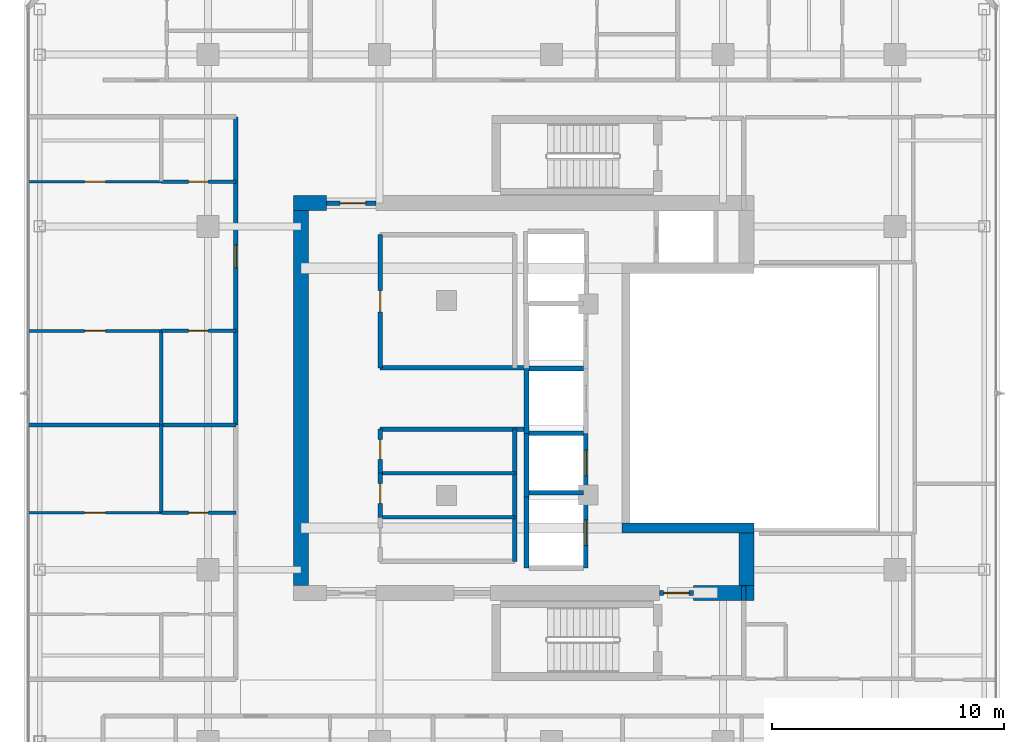
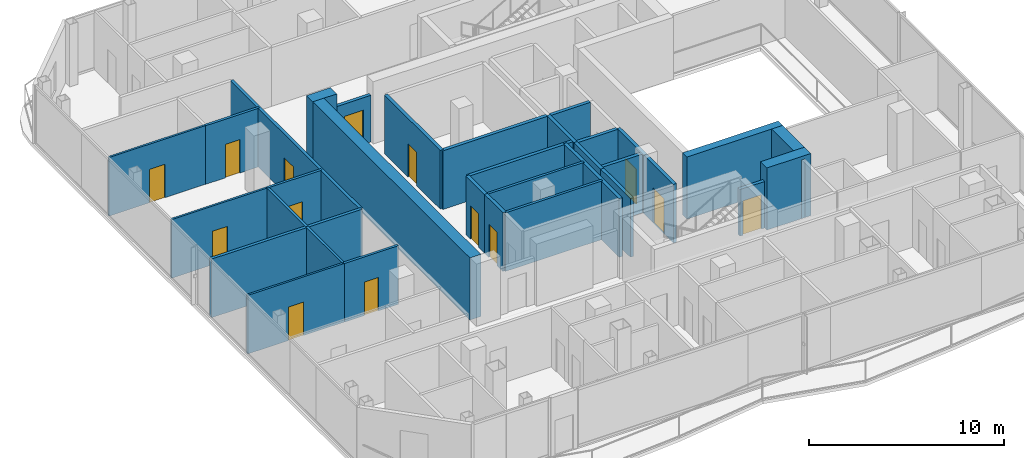
# One storey, part 18 of 26: 34 walls, 14 doors, 14 openings.
"""IFC4 building model written with IfcOpenShell, lengths in metres."""

from ifc_helpers import new_model, si_unit, direction, frame, frame_2d, origin, place, context, subcontext, project, spatial, rectangle, extrude, material, layer, layer_set, type_object, element, fill, save


model = new_model("IFC4")

# Units and contexts
model_context = context("Model", 3, precision=1e-05, world=origin(), true_north=direction((0.0, 1.0)))
body_context = subcontext(model_context, "Body", "Model", "MODEL_VIEW")
ifc_project = project(units=[si_unit("LENGTHUNIT", "METRE"), si_unit("AREAUNIT", "SQUARE_METRE"), si_unit("VOLUMEUNIT", "CUBIC_METRE"), si_unit("PLANEANGLEUNIT", "RADIAN"), si_unit("MASSUNIT", "GRAM", prefix="KILO")], contexts=[model_context])

# Site, building, storey
site_placement = place(None, origin())
site = spatial("IfcSite", under=ifc_project, at=site_placement, CompositionType="ELEMENT")
building_placement = place(site_placement, origin())
building = spatial("IfcBuilding", under=site, at=building_placement, Name="Khorvyn Point Tower", CompositionType="ELEMENT")
storey_placement = place(building_placement, frame((0.0, 0.0, 289.800048828125)))
storey = spatial("IfcBuildingStorey", under=building, at=storey_placement, Name="L71", CompositionType="ELEMENT", Elevation=289.800048828125)

# Wall, opening, door
ifc_material_1 = material(Name="Double acoustic gypsum on twin steel stud", Category="steel")
ifc_layer_1 = layer(ifc_material_1, 0.179931640625)
ifc_layer_set_1 = layer_set([ifc_layer_1], Name="Acoustic Double-Stud Apartment Demising Wall 180")
wall_type_1 = type_object("IfcWallType", Name="Acoustic Double-Stud Apartment Demising Wall 180", PredefinedType="PARTITIONING", material=ifc_layer_set_1)
wall_1_placement = place(storey_placement, frame((-13.60009765625, -1.1640625, 0.0), z_axis=(0.0, 0.0, 1.0), x_axis=(0.0, 1.0, 0.0)))
wall_1 = element("IfcWall", 1, at=wall_1_placement, inside=storey, type_object=wall_type_1, Name="Wall", PredefinedType="PARTITIONING", context=body_context, shape_type="SweptSolid", body=[
    extrude(rectangle(XDim=13.2841796875, YDim=0.179931640625, at=frame_2d((6.64208984375, 0.0))), origin(), (0.0, 0.0, 1.0), 3.679931640625),
])
opening_1_placement = place(wall_1_placement, frame((6.76708984375, 0.0, 0.0)))
opening_1 = element("IfcOpeningElement", 2, at=opening_1_placement, cuts=wall_1, Name="Opening ID-AP60", PredefinedType="OPENING", context=body_context, shape_type="SweptSolid", body=[
    extrude(rectangle(XDim=1.0, YDim=2.199951171875, at=frame_2d((0.5, 1.10009765625))), frame((0.0, 0.099853515625, 0.0), z_axis=(0.0, -1.0, 0.0), x_axis=(1.0, 0.0, 0.0)), (0.0, 0.0, 1.0), 0.199951171875),
])
ifc_material_2 = material(Name="Engineered hardwood fire-rated leaf", Category="wood")
door_type_1 = type_object("IfcDoorType", Name="Acoustic Solid-Core Timber Apartment Entrance Door 1000x2200", OperationType="NOTDEFINED", PredefinedType="DOOR", material=ifc_material_2)
door_1_placement = place(opening_1_placement, origin())
door_1 = element("IfcDoor", 3, at=door_1_placement, inside=storey, type_object=door_type_1, Name="Door", OperationType="SINGLE_SWING_RIGHT", OverallHeight=2.199951171875, OverallWidth=1.0, PredefinedType="DOOR", context=body_context, shape_type="SweptSolid", body=[
    extrude(rectangle(XDim=1.0, YDim=2.199951171875, at=frame_2d((0.5, 1.10009765625))), frame((0.0, 0.02490234375, 0.0), z_axis=(0.0, -1.0, 0.0), x_axis=(1.0, 0.0, 0.0)), (0.0, 0.0, 1.0), 0.050048828125),
])
fill(opening_1, door_1)

# Walls
wall_2_placement = place(storey_placement, frame((-22.530029296875, -1.1640625, 0.0), z_axis=(0.0, 0.0, 1.0), x_axis=(1.0, 0.0, 0.0)))
element("IfcWall", 4, at=wall_2_placement, inside=storey, type_object=wall_type_1, Name="Wall", PredefinedType="PARTITIONING", context=body_context, shape_type="SweptSolid", body=[
    extrude(rectangle(XDim=8.929931640625, YDim=0.179931640625, at=frame_2d((4.46484375, 0.0))), origin(), (0.0, 0.0, 1.0), 3.679931640625),
])
ifc_material_3 = material(Name="Concrete C40/50", Category="concrete")
ifc_layer_2 = layer(ifc_material_3, 0.449951171875)
ifc_layer_set_2 = layer_set([ifc_layer_2], Name="Concrete C40/50 Core Shear Wall 450")
wall_type_2 = type_object("IfcWallType", Name="Concrete C40/50 Core Shear Wall 450", PredefinedType="SHEAR", material=ifc_layer_set_2)
wall_3_placement = place(storey_placement, frame((3.044921875, -5.60009765625, 0.0), z_axis=(0.0, 0.0, 1.0), x_axis=(1.0, 0.0, 0.0)))
element("IfcWall", 5, at=wall_3_placement, inside=storey, type_object=wall_type_2, Name="Wall", PredefinedType="SHEAR", context=body_context, shape_type="SweptSolid", body=[
    extrude(rectangle(XDim=5.68017578125, YDim=0.449951171875, at=frame_2d((2.840087890625, 0.0))), origin(), (0.0, 0.0, 1.0), 3.89990234375),
])
ifc_layer_3 = layer(ifc_material_3, 0.64990234375)
ifc_layer_set_3 = layer_set([ifc_layer_3], Name="Concrete C40/50 Core Shear Wall 650")
wall_type_3 = type_object("IfcWallType", Name="Concrete C40/50 Core Shear Wall 650", PredefinedType="SHEAR", material=ifc_layer_set_3)
wall_4_placement = place(storey_placement, frame((6.1201171875, -8.39990234375, 0.0), z_axis=(0.0, 0.0, 1.0), x_axis=(1.0, 0.0, 0.0)))
element("IfcWall", 6, at=wall_4_placement, inside=storey, type_object=wall_type_3, Name="Wall", PredefinedType="SHEAR", context=body_context, shape_type="SweptSolid", body=[
    extrude(rectangle(XDim=2.60498046875, YDim=0.64990234375, at=frame_2d((1.302490234375, 0.0))), origin(), (0.0, 0.0, 1.0), 3.89990234375),
])
wall_5_placement = place(storey_placement, frame((-11.125, 8.39990234375, 0.0), z_axis=(0.0, 0.0, 1.0), x_axis=(1.0, 0.0, 0.0)))
element("IfcWall", 7, at=wall_5_placement, inside=storey, type_object=wall_type_3, Name="Wall", PredefinedType="SHEAR", context=body_context, shape_type="SweptSolid", body=[
    extrude(rectangle(XDim=1.425048828125, YDim=0.64990234375, at=frame_2d((0.71240234375, 0.0))), origin(), (0.0, 0.0, 1.0), 3.89990234375),
])
wall_6_placement = place(storey_placement, frame((-10.800048828125, -8.074951171875, 0.0), z_axis=(0.0, 0.0, 1.0), x_axis=(0.0, 1.0, 0.0)))
element("IfcWall", 8, at=wall_6_placement, inside=storey, type_object=wall_type_3, Name="Wall", PredefinedType="SHEAR", context=body_context, shape_type="SweptSolid", body=[
    extrude(rectangle(XDim=16.14990234375, YDim=0.64990234375, at=frame_2d((8.074951171875, 0.0))), origin(), (0.0, 0.0, 1.0), 3.89990234375),
])
wall_7_placement = place(storey_placement, frame((8.39990234375, -8.074951171875, 0.0), z_axis=(0.0, 0.0, 1.0), x_axis=(0.0, 1.0, 0.0)))
element("IfcWall", 9, at=wall_7_placement, inside=storey, type_object=wall_type_3, Name="Wall", PredefinedType="SHEAR", context=body_context, shape_type="SweptSolid", body=[
    extrude(rectangle(XDim=2.25, YDim=0.64990234375, at=frame_2d((1.125, 0.0))), origin(), (0.0, 0.0, 1.0), 3.89990234375),
])

# Wall, opening, door
ifc_layer_4 = layer(ifc_material_3, 0.199951171875)
ifc_layer_set_4 = layer_set([ifc_layer_4], Name="Concrete C40/50 Fire-Lobby Compartment Wall 200")
wall_type_4 = type_object("IfcWallType", Name="Concrete C40/50 Fire-Lobby Compartment Wall 200", PredefinedType="SOLIDWALL", material=ifc_layer_set_4)
wall_8_placement = place(storey_placement, frame((4.64990234375, -8.39990234375, 0.0), z_axis=(0.0, 0.0, 1.0), x_axis=(1.0, 0.0, 0.0)))
wall_8 = element("IfcWall", 10, at=wall_8_placement, inside=storey, type_object=wall_type_4, Name="Wall", PredefinedType="SOLIDWALL", context=body_context, shape_type="SweptSolid", body=[
    extrude(rectangle(XDim=1.47021484375, YDim=0.199951171875, at=frame_2d((0.735107421875, 0.0))), origin(), (0.0, 0.0, 1.0), 2.919921875),
])
opening_2_placement = place(wall_8_placement, frame((0.18505859375, 0.0, 0.0)))
opening_2 = element("IfcOpeningElement", 11, at=opening_2_placement, cuts=wall_8, Name="Opening ID-FL90", PredefinedType="OPENING", context=body_context, shape_type="SweptSolid", body=[
    extrude(rectangle(XDim=1.10009765625, YDim=2.14990234375, at=frame_2d((0.550048828125, 1.074951171875))), frame((0.0, 0.10986328125, 0.0), z_axis=(0.0, -1.0, 0.0), x_axis=(1.0, 0.0, 0.0)), (0.0, 0.0, 1.0), 0.219970703125),
])
ifc_material_4 = material(Name="Galvanised powder-coated steel", Category="steel")
door_type_2 = type_object("IfcDoorType", Name="Fire-Rated Steel Lobby and Stair Door 1100x2150", OperationType="NOTDEFINED", PredefinedType="DOOR", material=ifc_material_4)
door_2_placement = place(opening_2_placement, origin())
door_2 = element("IfcDoor", 12, at=door_2_placement, inside=storey, type_object=door_type_2, Name="Door", OperationType="SINGLE_SWING_LEFT", OverallHeight=2.14990234375, OverallWidth=1.10009765625, PredefinedType="DOOR", context=body_context, shape_type="SweptSolid", body=[
    extrude(rectangle(XDim=1.10009765625, YDim=2.14990234375, at=frame_2d((0.550048828125, 1.074951171875))), frame((0.0, 0.02490234375, 0.0), z_axis=(0.0, -1.0, 0.0), x_axis=(1.0, 0.0, 0.0)), (0.0, 0.0, 1.0), 0.050048828125),
])
fill(opening_2, door_2)

wall_9_placement = place(storey_placement, frame((-9.699951171875, 8.39990234375, 0.0), z_axis=(0.0, 0.0, 1.0), x_axis=(1.0, 0.0, 0.0)))
wall_9 = element("IfcWall", 13, at=wall_9_placement, inside=storey, type_object=wall_type_4, Name="Wall", PredefinedType="SOLIDWALL", context=body_context, shape_type="SweptSolid", body=[
    extrude(rectangle(XDim=2.14990234375, YDim=0.199951171875, at=frame_2d((1.074951171875, 0.0))), origin(), (0.0, 0.0, 1.0), 2.919921875),
])
opening_3_placement = place(wall_9_placement, frame((0.597900390625, 0.0, 0.0)))
opening_3 = element("IfcOpeningElement", 14, at=opening_3_placement, cuts=wall_9, Name="Opening ID-FL90", PredefinedType="OPENING", context=body_context, shape_type="SweptSolid", body=[
    extrude(rectangle(XDim=1.10009765625, YDim=2.14990234375, at=frame_2d((0.550048828125, 1.074951171875))), frame((0.0, 0.10986328125, 0.0), z_axis=(0.0, -1.0, 0.0), x_axis=(1.0, 0.0, 0.0)), (0.0, 0.0, 1.0), 0.219970703125),
])
door_3_placement = place(opening_3_placement, origin())
door_3 = element("IfcDoor", 15, at=door_3_placement, inside=storey, type_object=door_type_2, Name="Door", OperationType="SINGLE_SWING_RIGHT", OverallHeight=2.14990234375, OverallWidth=1.10009765625, PredefinedType="DOOR", context=body_context, shape_type="SweptSolid", body=[
    extrude(rectangle(XDim=1.10009765625, YDim=2.14990234375, at=frame_2d((0.550048828125, 1.074951171875))), frame((0.0, 0.02490234375, 0.0), z_axis=(0.0, -1.0, 0.0), x_axis=(1.0, 0.0, 0.0)), (0.0, 0.0, 1.0), 0.050048828125),
])
fill(opening_3, door_3)

wall_10_placement = place(storey_placement, frame((-7.3798828125, -5.139892578125, 0.0), z_axis=(0.0, 0.0, 1.0), x_axis=(0.0, 1.0, 0.0)))
wall_10 = element("IfcWall", 16, at=wall_10_placement, inside=storey, type_object=wall_type_4, Name="Wall", PredefinedType="SOLIDWALL", context=body_context, shape_type="SweptSolid", body=[
    extrude(rectangle(XDim=1.89990234375, YDim=0.199951171875, at=frame_2d((0.949951171875, 0.0))), origin(), (0.0, 0.0, 1.0), 3.679931640625),
])
opening_4_placement = place(wall_10_placement, frame((0.597900390625, 0.0, 0.0)))
opening_4 = element("IfcOpeningElement", 17, at=opening_4_placement, cuts=wall_10, Name="Opening ID-WC85", PredefinedType="OPENING", context=body_context, shape_type="SweptSolid", body=[
    extrude(rectangle(XDim=0.85009765625, YDim=2.10009765625, at=frame_2d((0.425048828125, 1.050048828125))), frame((0.0, 0.10986328125, 0.0), z_axis=(0.0, -1.0, 0.0), x_axis=(1.0, 0.0, 0.0)), (0.0, 0.0, 1.0), 0.219970703125),
])
ifc_material_5 = material(Name="High-pressure laminate on moisture-resistant core", Category="wood")
door_type_3 = type_object("IfcDoorType", Name="Moisture-Resistant Accessible Washroom Door 850x2100", OperationType="NOTDEFINED", PredefinedType="DOOR", material=ifc_material_5)
door_4_placement = place(opening_4_placement, origin())
door_4 = element("IfcDoor", 18, at=door_4_placement, inside=storey, type_object=door_type_3, Name="Door", OperationType="SINGLE_SWING_RIGHT", OverallHeight=2.10009765625, OverallWidth=0.85009765625, PredefinedType="DOOR", context=body_context, shape_type="SweptSolid", body=[
    extrude(rectangle(XDim=0.85009765625, YDim=2.10009765625, at=frame_2d((0.425048828125, 1.050048828125))), frame((0.0, 0.02490234375, 0.0), z_axis=(0.0, -1.0, 0.0), x_axis=(1.0, 0.0, 0.0)), (0.0, 0.0, 1.0), 0.050048828125),
])
fill(opening_4, door_4)

wall_11_placement = place(storey_placement, frame((-7.3798828125, -3.239990234375, 0.0), z_axis=(0.0, 0.0, 1.0), x_axis=(0.0, 1.0, 0.0)))
wall_11 = element("IfcWall", 19, at=wall_11_placement, inside=storey, type_object=wall_type_4, Name="Wall", PredefinedType="SOLIDWALL", context=body_context, shape_type="SweptSolid", body=[
    extrude(rectangle(XDim=1.89990234375, YDim=0.199951171875, at=frame_2d((0.949951171875, 0.0))), origin(), (0.0, 0.0, 1.0), 3.679931640625),
])
opening_5_placement = place(wall_11_placement, frame((0.597900390625, 0.0, 0.0)))
opening_5 = element("IfcOpeningElement", 20, at=opening_5_placement, cuts=wall_11, Name="Opening ID-WC85", PredefinedType="OPENING", context=body_context, shape_type="SweptSolid", body=[
    extrude(rectangle(XDim=0.85009765625, YDim=2.10009765625, at=frame_2d((0.425048828125, 1.050048828125))), frame((0.0, 0.10986328125, 0.0), z_axis=(0.0, -1.0, 0.0), x_axis=(1.0, 0.0, 0.0)), (0.0, 0.0, 1.0), 0.219970703125),
])
door_5_placement = place(opening_5_placement, origin())
door_5 = element("IfcDoor", 21, at=door_5_placement, inside=storey, type_object=door_type_3, Name="Door", OperationType="SINGLE_SWING_LEFT", OverallHeight=2.10009765625, OverallWidth=0.85009765625, PredefinedType="DOOR", context=body_context, shape_type="SweptSolid", body=[
    extrude(rectangle(XDim=0.85009765625, YDim=2.10009765625, at=frame_2d((0.425048828125, 1.050048828125))), frame((0.0, 0.02490234375, 0.0), z_axis=(0.0, -1.0, 0.0), x_axis=(1.0, 0.0, 0.0)), (0.0, 0.0, 1.0), 0.050048828125),
])
fill(opening_5, door_5)

wall_12_placement = place(storey_placement, frame((-7.3798828125, 1.300048828125, 0.0), z_axis=(0.0, 0.0, 1.0), x_axis=(0.0, 1.0, 0.0)))
wall_12 = element("IfcWall", 22, at=wall_12_placement, inside=storey, type_object=wall_type_4, Name="Wall", PredefinedType="SOLIDWALL", context=body_context, shape_type="SweptSolid", body=[
    extrude(rectangle(XDim=5.739990234375, YDim=0.199951171875, at=frame_2d((2.8701171875, 0.0))), origin(), (0.0, 0.0, 1.0), 3.679931640625),
])
opening_6_placement = place(wall_12_placement, frame((2.409912109375, 0.0, 0.0)))
opening_6 = element("IfcOpeningElement", 23, at=opening_6_placement, cuts=wall_12, Name="Opening ID-RS60", PredefinedType="OPENING", context=body_context, shape_type="SweptSolid", body=[
    extrude(rectangle(XDim=0.919921875, YDim=2.10009765625, at=frame_2d((0.4599609375, 1.050048828125))), frame((0.0, 0.10986328125, 0.0), z_axis=(0.0, -1.0, 0.0), x_axis=(1.0, 0.0, 0.0)), (0.0, 0.0, 1.0), 0.219970703125),
])
door_type_4 = type_object("IfcDoorType", Name="Fire-Rated Riser and Store Steel Door 920x2100", OperationType="NOTDEFINED", PredefinedType="DOOR", material=ifc_material_4)
door_6_placement = place(opening_6_placement, origin())
door_6 = element("IfcDoor", 24, at=door_6_placement, inside=storey, type_object=door_type_4, Name="Door", OperationType="SINGLE_SWING_RIGHT", OverallHeight=2.10009765625, OverallWidth=0.919921875, PredefinedType="DOOR", context=body_context, shape_type="SweptSolid", body=[
    extrude(rectangle(XDim=0.919921875, YDim=2.10009765625, at=frame_2d((0.4599609375, 1.050048828125))), frame((0.0, 0.02490234375, 0.0), z_axis=(0.0, -1.0, 0.0), x_axis=(1.0, 0.0, 0.0)), (0.0, 0.0, 1.0), 0.050048828125),
])
fill(opening_6, door_6)

# Walls
for number, where, z_axis, x_axis, name in (
    (25, (-7.3798828125, -1.340087890625, 0.0), (0.0, 0.0, 1.0), (1.0, 0.0, 0.0), "Wall"),
    (26, (-7.3798828125, 1.300048828125, 0.0), (0.0, 0.0, 1.0), (1.0, 0.0, 0.0), "Wall"),
):
    element("IfcWall", number, at=place(storey_placement, frame(where, z_axis=z_axis, x_axis=x_axis)), inside=storey, type_object=wall_type_4, Name=name, PredefinedType="SOLIDWALL", context=body_context, shape_type="SweptSolid", body=[
        extrude(rectangle(XDim=6.239990234375, YDim=0.199951171875, at=frame_2d((3.1201171875, 0.0))), origin(), (0.0, 0.0, 1.0), 3.679931640625),
    ])
wall_13_placement = place(storey_placement, frame((-1.580078125, -7.0400390625, 0.0), z_axis=(0.0, 0.0, 1.0), x_axis=(0.0, 1.0, 0.0)))
element("IfcWall", 27, at=wall_13_placement, inside=storey, type_object=wall_type_4, Name="Wall", PredefinedType="SOLIDWALL", context=body_context, shape_type="SweptSolid", body=[
    extrude(rectangle(XDim=5.699951171875, YDim=0.199951171875, at=frame_2d((2.85009765625, 0.0))), origin(), (0.0, 0.0, 1.0), 3.679931640625),
])
wall_14_placement = place(storey_placement, frame((8.280029296875, -8.72509765625, 0.0), z_axis=(0.0, 0.0, 1.0), x_axis=(0.0, 1.0, 0.0)))
element("IfcWall", 28, at=wall_14_placement, inside=storey, type_object=wall_type_4, Name="Wall", PredefinedType="SOLIDWALL", context=body_context, shape_type="SweptSolid", body=[
    extrude(rectangle(XDim=0.625, YDim=0.199951171875, at=frame_2d((0.3125, 0.0))), origin(), (0.0, 0.0, 1.0), 3.679931640625),
])
ifc_layer_5 = layer(ifc_material_3, 0.199951171875)
ifc_layer_set_5 = layer_set([ifc_layer_5], Name="Concrete C40/50 Structural Hoistway and Stair Shaft Wall 200")
wall_type_5 = type_object("IfcWallType", Name="Concrete C40/50 Structural Hoistway and Stair Shaft Wall 200", PredefinedType="SHEAR", material=ifc_layer_set_5)
wall_15_placement = place(storey_placement, frame((-1.074951171875, -4.27490234375, 0.0), z_axis=(0.0, 0.0, 1.0), x_axis=(0.0, 1.0, 0.0)))
element("IfcWall", 29, at=wall_15_placement, inside=storey, type_object=wall_type_5, Name="Wall", PredefinedType="SHEAR", context=body_context, shape_type="SweptSolid", body=[
    extrude(rectangle(XDim=2.75, YDim=0.199951171875, at=frame_2d((1.375, 0.0))), origin(), (0.0, 0.0, 1.0), 3.679931640625),
])

# Wall, opening, door
wall_16_placement = place(storey_placement, frame((1.47509765625, -4.27490234375, 0.0), z_axis=(0.0, 0.0, 1.0), x_axis=(0.0, 1.0, 0.0)))
wall_16 = element("IfcWall", 30, at=wall_16_placement, inside=storey, type_object=wall_type_5, Name="Wall", PredefinedType="SHEAR", context=body_context, shape_type="SweptSolid", body=[
    extrude(rectangle(XDim=2.75, YDim=0.199951171875, at=frame_2d((1.375, 0.0))), origin(), (0.0, 0.0, 1.0), 3.679931640625),
])
opening_7_placement = place(wall_16_placement, frame((0.925048828125, 0.0, 0.0)))
opening_7 = element("IfcOpeningElement", 31, at=opening_7_placement, cuts=wall_16, Name="Opening LD-1122", PredefinedType="OPENING", context=body_context, shape_type="SweptSolid", body=[
    extrude(rectangle(XDim=1.10009765625, YDim=2.199951171875, at=frame_2d((0.550048828125, 1.10009765625))), frame((0.0, 0.10986328125, 0.0), z_axis=(0.0, -1.0, 0.0), x_axis=(1.0, 0.0, 0.0)), (0.0, 0.0, 1.0), 0.219970703125),
])
ifc_material_6 = material(Name="Stainless steel 1.4301", Category="steel")
door_type_5 = type_object("IfcDoorType", Name="Stainless Steel Automatic Sliding Lift Landing Door 1100x2200", OperationType="SLIDING_TO_LEFT", PredefinedType="DOOR", material=ifc_material_6)
door_7_placement = place(opening_7_placement, origin())
door_7 = element("IfcDoor", 32, at=door_7_placement, inside=storey, type_object=door_type_5, Name="L71 RH-01 Sliding Lift Landing Door", OperationType="SLIDING_TO_LEFT", OverallHeight=2.199951171875, OverallWidth=1.10009765625, PredefinedType="DOOR", context=body_context, shape_type="SweptSolid", body=[
    extrude(rectangle(XDim=1.10009765625, YDim=2.199951171875, at=frame_2d((0.550048828125, 1.10009765625))), frame((0.0, 0.02490234375, 0.0), z_axis=(0.0, -1.0, 0.0), x_axis=(1.0, 0.0, 0.0)), (0.0, 0.0, 1.0), 0.050048828125),
])
fill(opening_7, door_7)

# Walls
for number, where, z_axis, x_axis, name in (
    (33, (-0.97509765625, -4.074951171875, 0.0), (0.0, 0.0, 1.0), (1.0, 0.0, 0.0), "Wall"),
    (34, (-0.97509765625, -1.52490234375, 0.0), (0.0, 0.0, 1.0), (1.0, 0.0, 0.0), "Wall"),
):
    element("IfcWall", number, at=place(storey_placement, frame(where, z_axis=z_axis, x_axis=x_axis)), inside=storey, type_object=wall_type_5, Name=name, PredefinedType="SHEAR", context=body_context, shape_type="SweptSolid", body=[
        extrude(rectangle(XDim=2.35009765625, YDim=0.199951171875, at=frame_2d((1.175048828125, 0.0))), origin(), (0.0, 0.0, 1.0), 3.679931640625),
    ])
wall_17_placement = place(storey_placement, frame((-1.074951171875, -1.52490234375, 0.0), z_axis=(0.0, 0.0, 1.0), x_axis=(0.0, 1.0, 0.0)))
element("IfcWall", 35, at=wall_17_placement, inside=storey, type_object=wall_type_5, Name="Wall", PredefinedType="SHEAR", context=body_context, shape_type="SweptSolid", body=[
    extrude(rectangle(XDim=2.7998046875, YDim=0.199951171875, at=frame_2d((1.39990234375, 0.0))), origin(), (0.0, 0.0, 1.0), 3.679931640625),
])
wall_18_placement = place(storey_placement, frame((-0.97509765625, 1.27490234375, 0.0), z_axis=(0.0, 0.0, 1.0), x_axis=(1.0, 0.0, 0.0)))
element("IfcWall", 36, at=wall_18_placement, inside=storey, type_object=wall_type_5, Name="Wall", PredefinedType="SHEAR", context=body_context, shape_type="SweptSolid", body=[
    extrude(rectangle(XDim=2.35009765625, YDim=0.199951171875, at=frame_2d((1.175048828125, 0.0))), origin(), (0.0, 0.0, 1.0), 3.679931640625),
])
wall_19_placement = place(storey_placement, frame((-1.074951171875, -7.324951171875, 0.0), z_axis=(0.0, 0.0, 1.0), x_axis=(0.0, 1.0, 0.0)))
element("IfcWall", 37, at=wall_19_placement, inside=storey, type_object=wall_type_5, Name="Wall", PredefinedType="SHEAR", context=body_context, shape_type="SweptSolid", body=[
    extrude(rectangle(XDim=3.050048828125, YDim=0.199951171875, at=frame_2d((1.52490234375, 0.0))), origin(), (0.0, 0.0, 1.0), 3.679931640625),
])

# Wall, opening, door
wall_20_placement = place(storey_placement, frame((1.47509765625, -7.324951171875, 0.0), z_axis=(0.0, 0.0, 1.0), x_axis=(0.0, 1.0, 0.0)))
wall_20 = element("IfcWall", 38, at=wall_20_placement, inside=storey, type_object=wall_type_5, Name="Wall", PredefinedType="SHEAR", context=body_context, shape_type="SweptSolid", body=[
    extrude(rectangle(XDim=3.050048828125, YDim=0.199951171875, at=frame_2d((1.52490234375, 0.0))), origin(), (0.0, 0.0, 1.0), 3.679931640625),
])
opening_8_placement = place(wall_20_placement, frame((0.97509765625, 0.0, 0.0)))
opening_8 = element("IfcOpeningElement", 39, at=opening_8_placement, cuts=wall_20, Name="Opening LD-1122", PredefinedType="OPENING", context=body_context, shape_type="SweptSolid", body=[
    extrude(rectangle(XDim=1.10009765625, YDim=2.199951171875, at=frame_2d((0.550048828125, 1.10009765625))), frame((0.0, 0.10986328125, 0.0), z_axis=(0.0, -1.0, 0.0), x_axis=(1.0, 0.0, 0.0)), (0.0, 0.0, 1.0), 0.219970703125),
])
door_8_placement = place(opening_8_placement, origin())
door_8 = element("IfcDoor", 40, at=door_8_placement, inside=storey, type_object=door_type_5, Name="L71 FF-01 Sliding Lift Landing Door", OperationType="SLIDING_TO_LEFT", OverallHeight=2.199951171875, OverallWidth=1.10009765625, PredefinedType="DOOR", context=body_context, shape_type="SweptSolid", body=[
    extrude(rectangle(XDim=1.10009765625, YDim=2.199951171875, at=frame_2d((0.550048828125, 1.10009765625))), frame((0.0, 0.02490234375, 0.0), z_axis=(0.0, -1.0, 0.0), x_axis=(1.0, 0.0, 0.0)), (0.0, 0.0, 1.0), 0.050048828125),
])
fill(opening_8, door_8)

ifc_material_7 = material(Name="Gypsum plasterboard on steel stud", Category="steel")
ifc_layer_6 = layer(ifc_material_7, 0.1201171875)
ifc_layer_set_6 = layer_set([ifc_layer_6], Name="Gypsum Acoustic Stud Room Partition Wall 120")
wall_type_6 = type_object("IfcWallType", Name="Gypsum Acoustic Stud Room Partition Wall 120", PredefinedType="PARTITIONING", material=ifc_layer_set_6)
wall_21_placement = place(storey_placement, frame((-22.530029296875, -4.93896484375, 0.0), z_axis=(0.0, 0.0, 1.0), x_axis=(1.0, 0.0, 0.0)))
wall_21 = element("IfcWall", 41, at=wall_21_placement, inside=storey, type_object=wall_type_6, Name="Wall", PredefinedType="PARTITIONING", context=body_context, shape_type="SweptSolid", body=[
    extrude(rectangle(XDim=5.720947265625, YDim=0.1201171875, at=frame_2d((2.8603515625, 0.0))), origin(), (0.0, 0.0, 1.0), 3.679931640625),
])
opening_9_placement = place(wall_21_placement, frame((2.410400390625, 0.0, 0.0)))
opening_9 = element("IfcOpeningElement", 42, at=opening_9_placement, cuts=wall_21, Name="Opening ID-RM90", PredefinedType="OPENING", context=body_context, shape_type="SweptSolid", body=[
    extrude(rectangle(XDim=0.89990234375, YDim=2.10009765625, at=frame_2d((0.449951171875, 1.050048828125))), frame((0.0, 0.070068359375, 0.0), z_axis=(0.0, -1.0, 0.0), x_axis=(1.0, 0.0, 0.0)), (0.0, 0.0, 1.0), 0.14013671875),
])
ifc_material_8 = material(Name="Engineered oak veneer timber", Category="wood")
door_type_6 = type_object("IfcDoorType", Name="Flush Engineered Timber Room Door 900x2100", OperationType="NOTDEFINED", PredefinedType="DOOR", material=ifc_material_8)
door_9_placement = place(opening_9_placement, origin())
door_9 = element("IfcDoor", 43, at=door_9_placement, inside=storey, type_object=door_type_6, Name="Door", OperationType="SINGLE_SWING_LEFT", OverallHeight=2.10009765625, OverallWidth=0.89990234375, PredefinedType="DOOR", context=body_context, shape_type="SweptSolid", body=[
    extrude(rectangle(XDim=0.89990234375, YDim=2.10009765625, at=frame_2d((0.449951171875, 1.050048828125))), frame((0.0, 0.02490234375, 0.0), z_axis=(0.0, -1.0, 0.0), x_axis=(1.0, 0.0, 0.0)), (0.0, 0.0, 1.0), 0.050048828125),
])
fill(opening_9, door_9)

wall_22_placement = place(storey_placement, frame((-22.530029296875, 2.89404296875, 0.0), z_axis=(0.0, 0.0, 1.0), x_axis=(1.0, 0.0, 0.0)))
wall_22 = element("IfcWall", 44, at=wall_22_placement, inside=storey, type_object=wall_type_6, Name="Wall", PredefinedType="PARTITIONING", context=body_context, shape_type="SweptSolid", body=[
    extrude(rectangle(XDim=5.720947265625, YDim=0.1201171875, at=frame_2d((2.8603515625, 0.0))), origin(), (0.0, 0.0, 1.0), 3.679931640625),
])
opening_10_placement = place(wall_22_placement, frame((2.410400390625, 0.0, 0.0)))
opening_10 = element("IfcOpeningElement", 45, at=opening_10_placement, cuts=wall_22, Name="Opening ID-RM90", PredefinedType="OPENING", context=body_context, shape_type="SweptSolid", body=[
    extrude(rectangle(XDim=0.89990234375, YDim=2.10009765625, at=frame_2d((0.449951171875, 1.050048828125))), frame((0.0, 0.070068359375, 0.0), z_axis=(0.0, -1.0, 0.0), x_axis=(1.0, 0.0, 0.0)), (0.0, 0.0, 1.0), 0.14013671875),
])
door_10_placement = place(opening_10_placement, origin())
door_10 = element("IfcDoor", 46, at=door_10_placement, inside=storey, type_object=door_type_6, Name="Door", OperationType="SINGLE_SWING_LEFT", OverallHeight=2.10009765625, OverallWidth=0.89990234375, PredefinedType="DOOR", context=body_context, shape_type="SweptSolid", body=[
    extrude(rectangle(XDim=0.89990234375, YDim=2.10009765625, at=frame_2d((0.449951171875, 1.050048828125))), frame((0.0, 0.02490234375, 0.0), z_axis=(0.0, -1.0, 0.0), x_axis=(1.0, 0.0, 0.0)), (0.0, 0.0, 1.0), 0.050048828125),
])
fill(opening_10, door_10)

wall_23_placement = place(storey_placement, frame((-22.530029296875, 9.320068359375, 0.0), z_axis=(0.0, 0.0, 1.0), x_axis=(1.0, 0.0, 0.0)))
wall_23 = element("IfcWall", 47, at=wall_23_placement, inside=storey, type_object=wall_type_6, Name="Wall", PredefinedType="PARTITIONING", context=body_context, shape_type="SweptSolid", body=[
    extrude(rectangle(XDim=5.720947265625, YDim=0.1201171875, at=frame_2d((2.8603515625, 0.0))), origin(), (0.0, 0.0, 1.0), 3.679931640625),
])
opening_11_placement = place(wall_23_placement, frame((2.410400390625, 0.0, 0.0)))
opening_11 = element("IfcOpeningElement", 48, at=opening_11_placement, cuts=wall_23, Name="Opening ID-RM90", PredefinedType="OPENING", context=body_context, shape_type="SweptSolid", body=[
    extrude(rectangle(XDim=0.89990234375, YDim=2.10009765625, at=frame_2d((0.449951171875, 1.050048828125))), frame((0.0, 0.070068359375, 0.0), z_axis=(0.0, -1.0, 0.0), x_axis=(1.0, 0.0, 0.0)), (0.0, 0.0, 1.0), 0.14013671875),
])
door_11_placement = place(opening_11_placement, origin())
door_11 = element("IfcDoor", 49, at=door_11_placement, inside=storey, type_object=door_type_6, Name="Door", OperationType="SINGLE_SWING_RIGHT", OverallHeight=2.10009765625, OverallWidth=0.89990234375, PredefinedType="DOOR", context=body_context, shape_type="SweptSolid", body=[
    extrude(rectangle(XDim=0.89990234375, YDim=2.10009765625, at=frame_2d((0.449951171875, 1.050048828125))), frame((0.0, 0.02490234375, 0.0), z_axis=(0.0, -1.0, 0.0), x_axis=(1.0, 0.0, 0.0)), (0.0, 0.0, 1.0), 0.050048828125),
])
fill(opening_11, door_11)

ifc_material_9 = material(Name="Moisture-resistant gypsum and cement board", Category="gypsum")
ifc_layer_7 = layer(ifc_material_9, 0.14990234375)
ifc_layer_set_7 = layer_set([ifc_layer_7], Name="Moisture-Resistant Wet-Room Partition Wall 150")
wall_type_7 = type_object("IfcWallType", Name="Moisture-Resistant Wet-Room Partition Wall 150", PredefinedType="PARTITIONING", material=ifc_layer_set_7)
wall_24_placement = place(storey_placement, frame((-16.80908203125, -4.93896484375, 0.0), z_axis=(0.0, 0.0, 1.0), x_axis=(1.0, 0.0, 0.0)))
wall_24 = element("IfcWall", 50, at=wall_24_placement, inside=storey, type_object=wall_type_7, Name="Wall", PredefinedType="PARTITIONING", context=body_context, shape_type="SweptSolid", body=[
    extrude(rectangle(XDim=3.208984375, YDim=0.14990234375, at=frame_2d((1.6044921875, 0.0))), origin(), (0.0, 0.0, 1.0), 3.679931640625),
])
opening_12_placement = place(wall_24_placement, frame((1.179443359375, 0.0, 0.0)))
opening_12 = element("IfcOpeningElement", 51, at=opening_12_placement, cuts=wall_24, Name="Opening ID-WC85", PredefinedType="OPENING", context=body_context, shape_type="SweptSolid", body=[
    extrude(rectangle(XDim=0.85009765625, YDim=2.10009765625, at=frame_2d((0.425048828125, 1.050048828125))), frame((0.0, 0.0849609375, 0.0), z_axis=(0.0, -1.0, 0.0), x_axis=(1.0, 0.0, 0.0)), (0.0, 0.0, 1.0), 0.169921875),
])
door_12_placement = place(opening_12_placement, origin())
door_12 = element("IfcDoor", 52, at=door_12_placement, inside=storey, type_object=door_type_3, Name="Door", OperationType="SINGLE_SWING_RIGHT", OverallHeight=2.10009765625, OverallWidth=0.85009765625, PredefinedType="DOOR", context=body_context, shape_type="SweptSolid", body=[
    extrude(rectangle(XDim=0.85009765625, YDim=2.10009765625, at=frame_2d((0.425048828125, 1.050048828125))), frame((0.0, 0.02490234375, 0.0), z_axis=(0.0, -1.0, 0.0), x_axis=(1.0, 0.0, 0.0)), (0.0, 0.0, 1.0), 0.050048828125),
])
fill(opening_12, door_12)

wall_25_placement = place(storey_placement, frame((-16.80908203125, 9.320068359375, 0.0), z_axis=(0.0, 0.0, 1.0), x_axis=(1.0, 0.0, 0.0)))
wall_25 = element("IfcWall", 53, at=wall_25_placement, inside=storey, type_object=wall_type_7, Name="Wall", PredefinedType="PARTITIONING", context=body_context, shape_type="SweptSolid", body=[
    extrude(rectangle(XDim=3.208984375, YDim=0.14990234375, at=frame_2d((1.6044921875, 0.0))), origin(), (0.0, 0.0, 1.0), 3.679931640625),
])
opening_13_placement = place(wall_25_placement, frame((1.179443359375, 0.0, 0.0)))
opening_13 = element("IfcOpeningElement", 54, at=opening_13_placement, cuts=wall_25, Name="Opening ID-WC85", PredefinedType="OPENING", context=body_context, shape_type="SweptSolid", body=[
    extrude(rectangle(XDim=0.85009765625, YDim=2.10009765625, at=frame_2d((0.425048828125, 1.050048828125))), frame((0.0, 0.0849609375, 0.0), z_axis=(0.0, -1.0, 0.0), x_axis=(1.0, 0.0, 0.0)), (0.0, 0.0, 1.0), 0.169921875),
])
door_13_placement = place(opening_13_placement, origin())
door_13 = element("IfcDoor", 55, at=door_13_placement, inside=storey, type_object=door_type_3, Name="Door", OperationType="SINGLE_SWING_LEFT", OverallHeight=2.10009765625, OverallWidth=0.85009765625, PredefinedType="DOOR", context=body_context, shape_type="SweptSolid", body=[
    extrude(rectangle(XDim=0.85009765625, YDim=2.10009765625, at=frame_2d((0.425048828125, 1.050048828125))), frame((0.0, 0.02490234375, 0.0), z_axis=(0.0, -1.0, 0.0), x_axis=(1.0, 0.0, 0.0)), (0.0, 0.0, 1.0), 0.050048828125),
])
fill(opening_13, door_13)

wall_26_placement = place(storey_placement, frame((-16.80908203125, 2.89404296875, 0.0), z_axis=(0.0, 0.0, 1.0), x_axis=(1.0, 0.0, 0.0)))
wall_26 = element("IfcWall", 56, at=wall_26_placement, inside=storey, type_object=wall_type_7, Name="Wall", PredefinedType="PARTITIONING", context=body_context, shape_type="SweptSolid", body=[
    extrude(rectangle(XDim=3.208984375, YDim=0.14990234375, at=frame_2d((1.6044921875, 0.0))), origin(), (0.0, 0.0, 1.0), 3.679931640625),
])
opening_14_placement = place(wall_26_placement, frame((1.179443359375, 0.0, 0.0)))
opening_14 = element("IfcOpeningElement", 57, at=opening_14_placement, cuts=wall_26, Name="Opening ID-WC85", PredefinedType="OPENING", context=body_context, shape_type="SweptSolid", body=[
    extrude(rectangle(XDim=0.85009765625, YDim=2.10009765625, at=frame_2d((0.425048828125, 1.050048828125))), frame((0.0, 0.0849609375, 0.0), z_axis=(0.0, -1.0, 0.0), x_axis=(1.0, 0.0, 0.0)), (0.0, 0.0, 1.0), 0.169921875),
])
door_14_placement = place(opening_14_placement, origin())
door_14 = element("IfcDoor", 58, at=door_14_placement, inside=storey, type_object=door_type_3, Name="Door", OperationType="SINGLE_SWING_RIGHT", OverallHeight=2.10009765625, OverallWidth=0.85009765625, PredefinedType="DOOR", context=body_context, shape_type="SweptSolid", body=[
    extrude(rectangle(XDim=0.85009765625, YDim=2.10009765625, at=frame_2d((0.425048828125, 1.050048828125))), frame((0.0, 0.02490234375, 0.0), z_axis=(0.0, -1.0, 0.0), x_axis=(1.0, 0.0, 0.0)), (0.0, 0.0, 1.0), 0.050048828125),
])
fill(opening_14, door_14)

# Walls
for number, where, z_axis, x_axis, name in (
    (59, (-7.3798828125, -5.139892578125, 0.0), (0.0, 0.0, 1.0), (1.0, 0.0, 0.0), "Wall"),
    (60, (-7.3798828125, -3.239990234375, 0.0), (0.0, 0.0, 1.0), (1.0, 0.0, 0.0), "Wall"),
):
    element("IfcWall", number, at=place(storey_placement, frame(where, z_axis=z_axis, x_axis=x_axis)), inside=storey, type_object=wall_type_7, Name=name, PredefinedType="PARTITIONING", context=body_context, shape_type="SweptSolid", body=[
        extrude(rectangle(XDim=5.7998046875, YDim=0.14990234375, at=frame_2d((2.89990234375, 0.0))), origin(), (0.0, 0.0, 1.0), 3.679931640625),
    ])
wall_27_placement = place(storey_placement, frame((-16.80908203125, -4.93896484375, 0.0), z_axis=(0.0, 0.0, 1.0), x_axis=(0.0, 1.0, 0.0)))
element("IfcWall", 61, at=wall_27_placement, inside=storey, type_object=wall_type_7, Name="Wall", PredefinedType="PARTITIONING", context=body_context, shape_type="SweptSolid", body=[
    extrude(rectangle(XDim=3.77490234375, YDim=0.14990234375, at=frame_2d((1.887451171875, 0.0))), origin(), (0.0, 0.0, 1.0), 3.679931640625),
])
wall_28_placement = place(storey_placement, frame((-16.80908203125, -1.1640625, 0.0), z_axis=(0.0, 0.0, 1.0), x_axis=(0.0, 1.0, 0.0)))
element("IfcWall", 62, at=wall_28_placement, inside=storey, type_object=wall_type_7, Name="Wall", PredefinedType="PARTITIONING", context=body_context, shape_type="SweptSolid", body=[
    extrude(rectangle(XDim=4.05810546875, YDim=0.14990234375, at=frame_2d((2.029052734375, 0.0))), origin(), (0.0, 0.0, 1.0), 3.679931640625),
])

save(model, "model.ifc")
